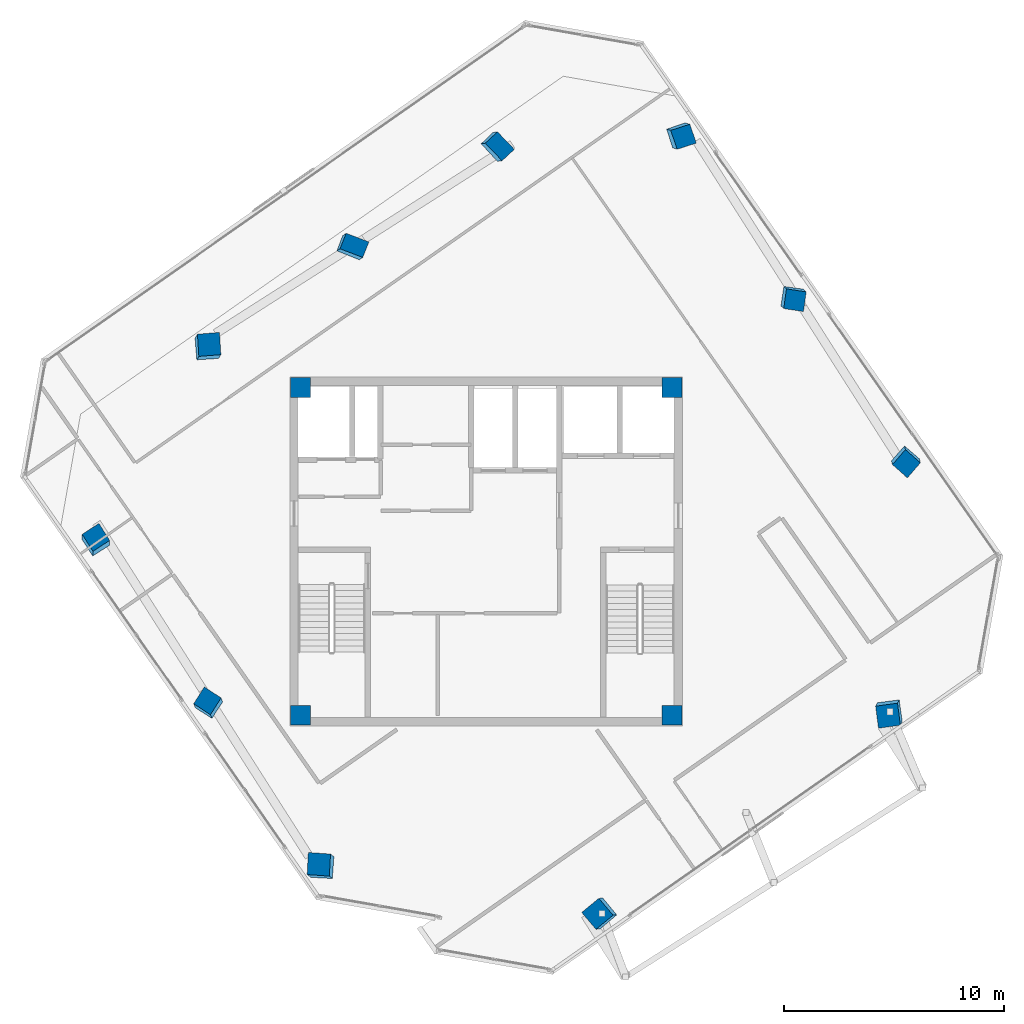
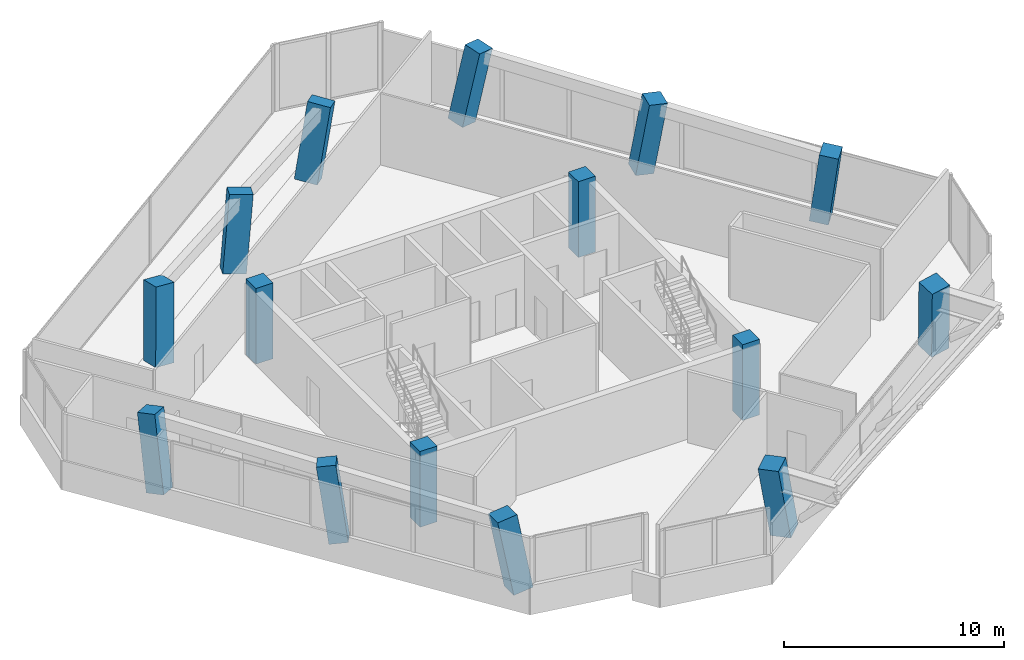
# One storey, part 1 of 15: 15 columns.
"""IFC4 building model written with IfcOpenShell, lengths in metres."""

from ifc_helpers import new_model, si_unit, direction, frame, origin, origin_2d, place, context, subcontext, project, spatial, rectangle, extrude, clip, halfspace, source, transform, mapped, material, material_profile, profile_set, type_object, element, save


model = new_model("IFC4")

# Units and contexts
model_context = context("Model", 3, precision=1e-05, world=origin(), true_north=direction((0.0, 1.0)))
body_context = subcontext(model_context, "Body", "Model", "MODEL_VIEW")
ifc_project = project(units=[si_unit("LENGTHUNIT", "METRE"), si_unit("AREAUNIT", "SQUARE_METRE"), si_unit("VOLUMEUNIT", "CUBIC_METRE"), si_unit("PLANEANGLEUNIT", "RADIAN"), si_unit("MASSUNIT", "GRAM", prefix="KILO")], contexts=[model_context])

# Site, building, storey
site_placement = place(None, origin())
site = spatial("IfcSite", under=ifc_project, at=site_placement, CompositionType="ELEMENT")
building_placement = place(site_placement, origin())
building = spatial("IfcBuilding", under=site, at=building_placement, Name="Torre Montelarca", CompositionType="ELEMENT")
storey_placement = place(building_placement, frame((0.0, 0.0, 303.0)))
storey = spatial("IfcBuildingStorey", under=building, at=storey_placement, Name="L68", CompositionType="ELEMENT", Elevation=303.0)

# Columns
ifc_material_1 = material(Name="Concrete C40/50", Category="concrete")
ifc_material_profile_1 = material_profile(ifc_material_1, rectangle(XDim=0.75, YDim=1.10009765625, at=origin_2d()), Name="RC1100X750", Category="concrete")
ifc_profile_set_1 = profile_set([ifc_material_profile_1], Name="Concrete C40/50")
column_type_1 = type_object("IfcColumnType", Name="COL-PIL1100-EXT", PredefinedType="PILASTER", material=ifc_profile_set_1)
column_1_placement = place(storey_placement, frame((11.835205078125, 45.802734375, 0.0), z_axis=(0.143375766237, 0.095793792698, 0.98502128857), x_axis=(-0.352266514368, -0.925179506593, 0.141248658171)))
element("IfcColumn", 1, at=column_1_placement, inside=storey, type_object=column_type_1, Name="L68 Column 1W/E", PredefinedType="PILASTER", context=body_context, shape_type="Clipping", body=[
    clip(clip(extrude(rectangle(XDim=0.75, YDim=1.10009765625, at=origin_2d()), origin(), (0.0, 0.0, 1.0), 4.263916015625), halfspace(frame((0.0, 0.0, 0.109619140625), z_axis=(0.0, 0.0, -1.0), x_axis=(1.0, 0.0, 0.0)), False)), halfspace(frame((0.0, 0.0, 4.154296875), z_axis=(0.0, 0.0, 1.0), x_axis=(1.0, 0.0, 0.0)), False)),
])
column_2_placement = place(storey_placement, frame((18.388427734375, 50.391357421875, 0.0), z_axis=(0.18821016759, 0.027620897851, 0.981740301107), x_axis=(-0.712388452059, -0.684267152176, 0.155824124661)))
element("IfcColumn", 2, at=column_2_placement, inside=storey, type_object=column_type_1, Name="L68 Column 1W/F", PredefinedType="PILASTER", context=body_context, shape_type="Clipping", body=[
    clip(clip(extrude(rectangle(XDim=0.75, YDim=1.10009765625, at=origin_2d()), origin(), (0.0, 0.0, 1.0), 4.278076171875), halfspace(frame((0.0, 0.0, 0.121337890625), z_axis=(0.0, 0.0, -1.0), x_axis=(1.0, 0.0, 0.0)), False)), halfspace(frame((0.0, 0.0, 4.15673828125), z_axis=(0.0, 0.0, 1.0), x_axis=(1.0, 0.0, 0.0)), False)),
])
ifc_material_2 = material(Name="Concrete C55/67", Category="concrete")
ifc_material_profile_2 = material_profile(ifc_material_2, rectangle(XDim=1.0, YDim=1.0, at=origin_2d()), Name="RC1000X1000", Category="concrete")
ifc_profile_set_2 = profile_set([ifc_material_profile_2], Name="Concrete C55/67")
column_type_2 = type_object("IfcColumnType", Name="COL-RC1000-EXT", PredefinedType="COLUMN", material=ifc_profile_set_2)
column_3_placement = place(storey_placement, frame((10.565185546875, 17.629150390625, 0.0), z_axis=(-0.144260059709, 0.114836720798, 0.98285378502), x_axis=(0.987123386197, -0.0526699781, 0.151040702559)))
element("IfcColumn", 3, at=column_3_placement, inside=storey, type_object=column_type_2, Name="L68 Column 4/CS", PredefinedType="COLUMN", context=body_context, shape_type="Clipping", body=[
    clip(clip(extrude(rectangle(XDim=1.0, YDim=1.0, at=origin_2d()), origin(), (0.0, 0.0, 1.0), 4.273193359375), halfspace(frame((0.0, 0.0, 0.13134765625), z_axis=(0.0, 0.0, -1.0), x_axis=(1.0, 0.0, 0.0)), False)), halfspace(frame((0.0, 0.0, 4.141845703125), z_axis=(0.0, 0.0, 1.0), x_axis=(1.0, 0.0, 0.0)), False)),
])
for number, where, z_axis, x_axis, name in (
    (4, (23.263671875, 15.53369140625, 0.0), (-0.168941576354, -0.014379225387, 0.985521172607), (0.755740055789, 0.639974029338, 0.1388891999), "L68 Column 5/D"),
    (5, (36.3701171875, 24.7109375, 0.0), (-0.077911131198, -0.150609091116, 0.985518522053), (-0.138522674046, 0.980570116481, 0.138901819423), "L68 Column 5/F"),
):
    element("IfcColumn", number, at=place(storey_placement, frame(where, z_axis=z_axis, x_axis=x_axis)), inside=storey, type_object=column_type_2, Name=name, PredefinedType="COLUMN", context=body_context, shape_type="Clipping", body=[
        clip(clip(extrude(rectangle(XDim=1.0, YDim=1.0, at=origin_2d()), origin(), (0.0, 0.0, 1.0), 4.26171875), halfspace(frame((0.0, 0.0, 0.12060546875), z_axis=(0.0, 0.0, -1.0), x_axis=(1.0, 0.0, 0.0)), False)), halfspace(frame((0.0, 0.0, 4.14111328125), z_axis=(0.0, 0.0, 1.0), x_axis=(1.0, 0.0, 0.0)), False)),
    ])
column_4_placement = place(storey_placement, frame((5.281982421875, 41.214111328125, 0.0), z_axis=(0.097586490462, 0.163271900123, 0.981742921293), x_axis=(0.079753803382, -0.984561641117, 0.155813047227)))
element("IfcColumn", 6, at=column_4_placement, inside=storey, type_object=column_type_2, Name="L68 Column 1W/D", PredefinedType="COLUMN", context=body_context, shape_type="Clipping", body=[
    clip(clip(extrude(rectangle(XDim=1.0, YDim=1.0, at=origin_2d()), origin(), (0.0, 0.0, 1.0), 4.278076171875), halfspace(frame((0.0, 0.0, 0.1357421875), z_axis=(0.0, 0.0, -1.0), x_axis=(1.0, 0.0, 0.0)), False)), halfspace(frame((0.0, 0.0, 4.142333984375), z_axis=(0.0, 0.0, 1.0), x_axis=(1.0, 0.0, 0.0)), False)),
])
ifc_material_profile_3 = material_profile(ifc_material_2, rectangle(XDim=0.89990234375, YDim=0.89990234375, at=origin_2d()), Name="RC900X900", Category="concrete")
ifc_profile_set_3 = profile_set([ifc_material_profile_3], Name="Concrete C55/67")
column_type_3 = type_object("IfcColumnType", Name="COL-RC900-EXT", PredefinedType="COLUMN", material=ifc_profile_set_3)
column_5_placement = place(storey_placement, frame((0.240966796875, 32.373779296875, 0.0), z_axis=(0.008457413638, 0.215522144854, 0.976462327605), x_axis=(0.541771313725, -0.821746656519, 0.176681284024)))
element("IfcColumn", 7, at=column_5_placement, inside=storey, type_object=column_type_3, Name="L68 Column 2/CS", PredefinedType="COLUMN", context=body_context, shape_type="Clipping", body=[
    clip(clip(extrude(rectangle(XDim=0.89990234375, YDim=0.89990234375, at=origin_2d()), origin(), (0.0, 0.0, 1.0), 4.30126953125), halfspace(frame((0.0, 0.0, 0.13916015625), z_axis=(0.0, 0.0, -1.0), x_axis=(1.0, 0.0, 0.0)), False)), halfspace(frame((0.0, 0.0, 4.162109375), z_axis=(0.0, 0.0, 1.0), x_axis=(1.0, 0.0, 0.0)), False)),
])
column_6_placement = place(storey_placement, frame((26.740478515625, 50.92919921875, 0.0), z_axis=(0.191430082307, -0.057525850381, 0.979819013964), x_axis=(-0.933735019566, -0.318322018104, 0.163737613351)))
element("IfcColumn", 8, at=column_6_placement, inside=storey, type_object=column_type_3, Name="L68 Column 2/GN", PredefinedType="COLUMN", context=body_context, shape_type="Clipping", body=[
    clip(clip(extrude(rectangle(XDim=0.89990234375, YDim=0.89990234375, at=origin_2d()), origin(), (0.0, 0.0, 1.0), 4.286376953125), halfspace(frame((0.0, 0.0, 0.128662109375), z_axis=(0.0, 0.0, -1.0), x_axis=(1.0, 0.0, 0.0)), False)), halfspace(frame((0.0, 0.0, 4.15771484375), z_axis=(0.0, 0.0, 1.0), x_axis=(1.0, 0.0, 0.0)), False)),
])
column_7_placement = place(storey_placement, frame((5.403076171875, 25.00146484375, 0.0), z_axis=(-0.06793764826, 0.166012620285, 0.983780608599), x_axis=(0.836063035578, -0.528590930954, 0.146936136652)))
element("IfcColumn", 9, at=column_7_placement, inside=storey, type_object=column_type_3, Name="L68 Column 3/CS", PredefinedType="COLUMN", context=body_context, shape_type="Clipping", body=[
    clip(clip(extrude(rectangle(XDim=0.89990234375, YDim=0.89990234375, at=origin_2d()), origin(), (0.0, 0.0, 1.0), 4.269287109375), halfspace(frame((0.0, 0.0, 0.114990234375), z_axis=(0.0, 0.0, -1.0), x_axis=(1.0, 0.0, 0.0)), False)), halfspace(frame((0.0, 0.0, 4.154296875), z_axis=(0.0, 0.0, 1.0), x_axis=(1.0, 0.0, 0.0)), False)),
])
column_8_placement = place(storey_placement, frame((31.902587890625, 43.556640625, 0.0), z_axis=(0.116149103088, -0.109205406707, 0.987209990325), x_axis=(-0.982055587014, 0.136059325821, 0.130593582814)))
element("IfcColumn", 10, at=column_8_placement, inside=storey, type_object=column_type_3, Name="L68 Column 3/GN", PredefinedType="COLUMN", context=body_context, shape_type="Clipping", body=[
    clip(clip(extrude(rectangle(XDim=0.89990234375, YDim=0.89990234375, at=origin_2d()), origin(), (0.0, 0.0, 1.0), 4.25439453125), halfspace(frame((0.0, 0.0, 0.10205078125), z_axis=(0.0, 0.0, -1.0), x_axis=(1.0, 0.0, 0.0)), False)), halfspace(frame((0.0, 0.0, 4.15234375), z_axis=(0.0, 0.0, 1.0), x_axis=(1.0, 0.0, 0.0)), False)),
])
column_9_placement = place(storey_placement, frame((37.064697265625, 36.184326171875, 0.0), z_axis=(0.039386712423, -0.160356091191, 0.986273091442), x_axis=(-0.749730751195, 0.647771912034, 0.135260307157)))
element("IfcColumn", 11, at=column_9_placement, inside=storey, type_object=column_type_3, Name="L68 Column 4/GN", PredefinedType="COLUMN", context=body_context, shape_type="Clipping", body=[
    clip(clip(extrude(rectangle(XDim=0.89990234375, YDim=0.89990234375, at=origin_2d()), origin(), (0.0, 0.0, 1.0), 4.25830078125), halfspace(frame((0.0, 0.0, 0.105712890625), z_axis=(0.0, 0.0, -1.0), x_axis=(1.0, 0.0, 0.0)), False)), halfspace(frame((0.0, 0.0, 4.152587890625), z_axis=(0.0, 0.0, 1.0), x_axis=(1.0, 0.0, 0.0)), False)),
])
ifc_material_profile_4 = material_profile(ifc_material_2, rectangle(XDim=0.89990234375, YDim=0.89990234375, at=origin_2d()), Name="RC900X900", Category="concrete")
ifc_profile_set_4 = profile_set([ifc_material_profile_4], Name="Concrete C55/67")
column_type_4 = type_object("IfcColumnType", Name="COL-RC900", PredefinedType="COLUMN", material=ifc_profile_set_4)
shared_shape = source(origin(), body_context, "Body", "SweptSolid", [
    extrude(rectangle(XDim=0.89990234375, YDim=0.89990234375, at=origin_2d()), origin(), (0.0, 0.0, 1.0), 4.198486328125),
])
for number, where, z_axis, x_axis, name in (
    (12, (9.550048828125, 24.550048828125, 0.000732421875), (0.0, 0.0, 1.0), (1.0, 0.0, 0.0), "L68 Plumb Core Corner Column 2D"),
    (13, (26.449951171875, 24.550048828125, 0.000732421875), (0.0, 0.0, 1.0), (1.0, 0.0, 0.0), "L68 Plumb Core Corner Column 4D"),
    (14, (9.550048828125, 39.449951171875, 0.000732421875), (0.0, 0.0, 1.0), (1.0, 0.0, 0.0), "L68 Plumb Core Corner Column 2F"),
    (15, (26.449951171875, 39.449951171875, 0.000732421875), (0.0, 0.0, 1.0), (1.0, 0.0, 0.0), "L68 Plumb Core Corner Column 4F"),
):
    element("IfcColumn", number, at=place(storey_placement, frame(where, z_axis=z_axis, x_axis=x_axis)), inside=storey, type_object=column_type_4, Name=name, PredefinedType="COLUMN", context=body_context, shape_type="MappedRepresentation", body=[
        mapped(shared_shape, transform((0.0, 0.0, 0.0), scale=1.0)),
    ])

save(model, "model.ifc")
